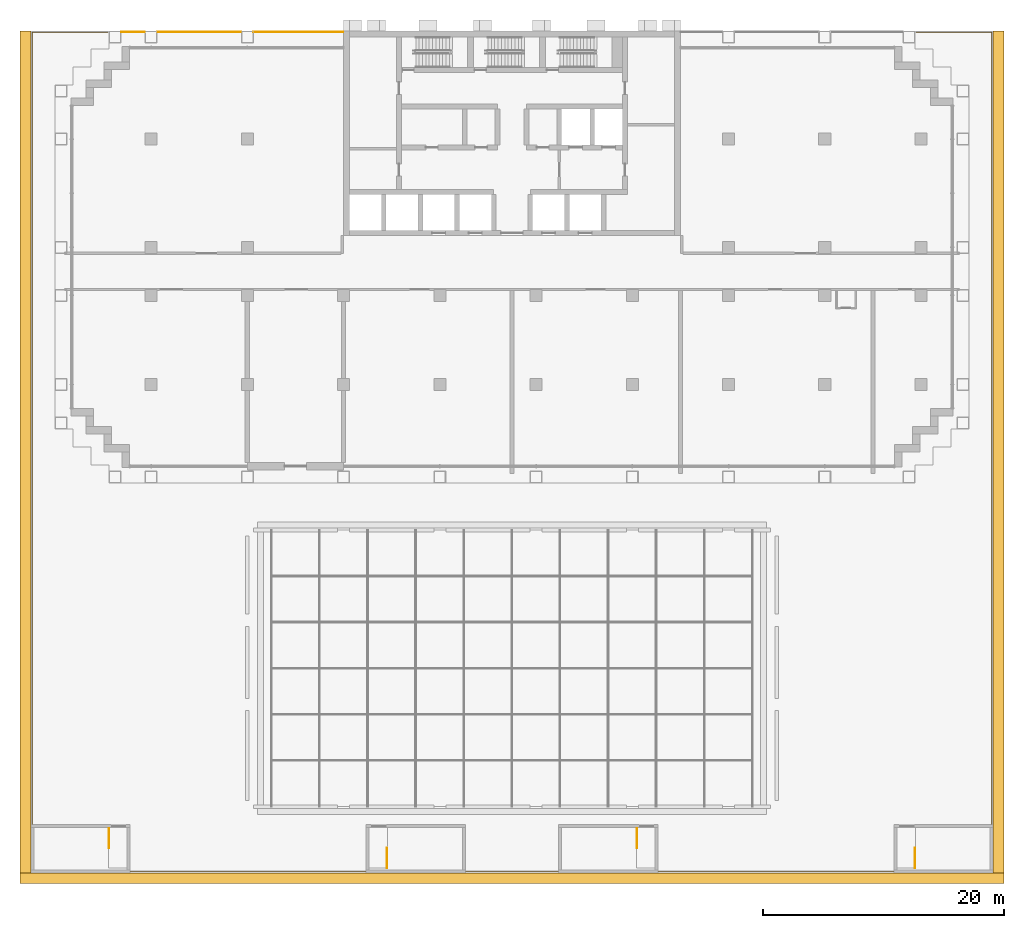
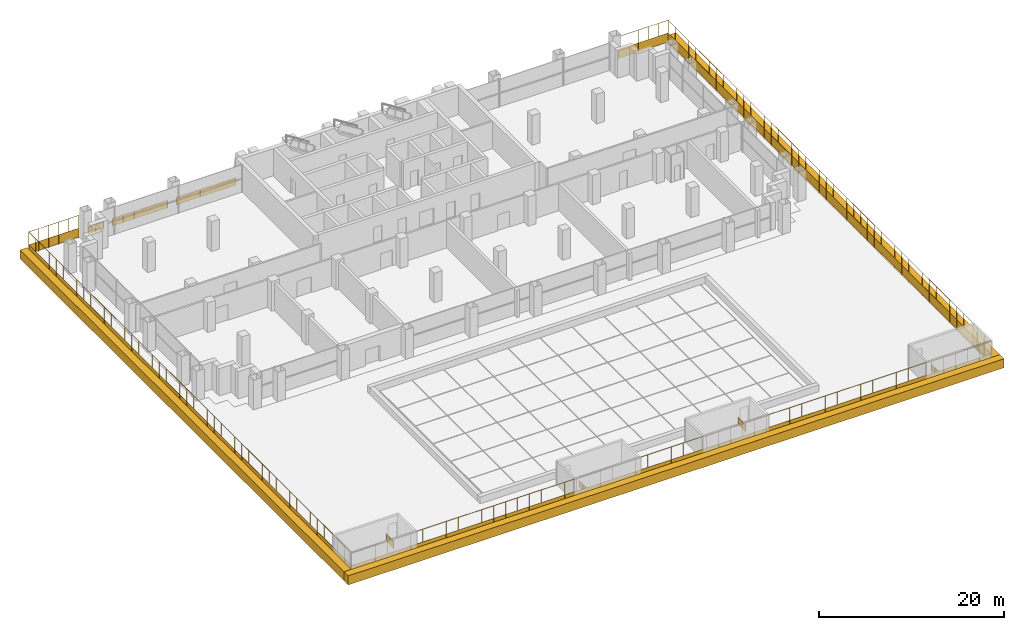
# One storey, part 14 of 16: 8 railings, 3 shading devices.
"""IFC4 building model written with IfcOpenShell, lengths in metres."""

from ifc_helpers import new_model, si_unit, direction, frame, frame_2d, origin, origin_2d, place, context, subcontext, project, spatial, rectangle, circle, extrude, material, layer, layer_set, type_object, element, save


model = new_model("IFC4")

# Units and contexts
model_context = context("Model", 3, precision=1e-05, world=origin(), true_north=direction((0.0, 1.0)))
body_context = subcontext(model_context, "Body", "Model", "MODEL_VIEW")
ifc_project = project(units=[si_unit("LENGTHUNIT", "METRE"), si_unit("AREAUNIT", "SQUARE_METRE"), si_unit("VOLUMEUNIT", "CUBIC_METRE"), si_unit("PLANEANGLEUNIT", "RADIAN"), si_unit("MASSUNIT", "GRAM", prefix="KILO")], contexts=[model_context])

# Site, building, storey
site_placement = place(None, origin())
site = spatial("IfcSite", under=ifc_project, at=site_placement, CompositionType="ELEMENT")
building_placement = place(site_placement, origin())
building = spatial("IfcBuilding", under=site, at=building_placement, Name="Vidyagriha Tower", CompositionType="ELEMENT")
storey_placement = place(building_placement, frame((0.0, 0.0, 26.0)))
storey = spatial("IfcBuildingStorey", under=building, at=storey_placement, Name="L06", CompositionType="ELEMENT", Elevation=26.0)

# Shading devices
ifc_material_1 = material(Name="Precast concrete C40/50 with brick facing", Category="concrete")
ifc_layer = layer(ifc_material_1, 0.89990234375)
ifc_layer_set = layer_set([ifc_layer], Name="Precast concrete C40/50 with brick facing")
shading_device_type = type_object("IfcShadingDeviceType", Name="Brick-faced podium cornice band", PredefinedType="USERDEFINED", material=ifc_layer_set)
shading_device_placement = place(storey_placement, frame((-40.89990234375, -50.449951171875, -0.300048828125)))
element("IfcShadingDevice", 1, at=shading_device_placement, inside=storey, type_object=shading_device_type, Name="Podium cornice band S", ObjectType="CORNICE", PredefinedType="USERDEFINED", context=body_context, shape_type="SweptSolid", body=[
    extrude(rectangle(XDim=81.7998046875, YDim=0.89990234375, at=frame_2d((40.89990234375, 0.0))), origin(), (0.0, 0.0, 1.0), 1.199951171875),
])
for number, where, z_axis, x_axis, name in (
    (2, (-40.449951171875, -50.0, -0.300048828125), (0.0, 0.0, 1.0), (0.0, 1.0, 0.0), "Podium cornice band W"),
    (3, (40.449951171875, -50.0, -0.300048828125), (0.0, 0.0, 1.0), (0.0, 1.0, 0.0), "Podium cornice band E"),
):
    element("IfcShadingDevice", number, at=place(storey_placement, frame(where, z_axis=z_axis, x_axis=x_axis)), inside=storey, type_object=shading_device_type, Name=name, ObjectType="CORNICE", PredefinedType="USERDEFINED", context=body_context, shape_type="SweptSolid", body=[
        extrude(rectangle(XDim=70.0, YDim=0.89990234375, at=frame_2d((35.0, 0.0))), origin(), (0.0, 0.0, 1.0), 1.199951171875),
    ])

# Railings
ifc_material_2 = material(Name="Steel ASTM A500 Grade C black painted", Category="steel")
railing_type_1 = type_object("IfcRailingType", Name="Gallery guard 1100", PredefinedType="GUARDRAIL", material=ifc_material_2)
railing_1_placement = place(storey_placement, frame((-32.469970703125, 19.89990234375, 0.0)))
element("IfcRailing", 4, at=railing_1_placement, inside=storey, type_object=railing_type_1, Name="Gallery guard L06 1", PredefinedType="GUARDRAIL", context=body_context, shape_type="SweptSolid", body=[
    extrude(circle(Radius=0.02490234375, at=origin_2d()), frame((0.0, 0.0, 1.0751953125), z_axis=(1.0, 0.0, 0.0), x_axis=(0.0, 1.0, 0.0)), (0.0, 0.0, 1.0), 1.93994140625),
    extrude(circle(Radius=0.02001953125, at=origin_2d()), origin(), (0.0, 0.0, 1.0), 1.050048828125),
    extrude(circle(Radius=0.02001953125, at=origin_2d()), frame((0.969970703125, 0.0, 0.0)), (0.0, 0.0, 1.0), 1.050048828125),
    extrude(circle(Radius=0.02001953125, at=origin_2d()), frame((1.93994140625, 0.0, 0.0)), (0.0, 0.0, 1.0), 1.050048828125),
    extrude(rectangle(XDim=0.010009765625, YDim=0.900146484375, at=origin_2d()), frame((0.0, 0.0, 0.550048828125), z_axis=(1.0, 0.0, 0.0), x_axis=(0.0, 1.0, 0.0)), (0.0, 0.0, 1.0), 1.93994140625),
])
railing_2_placement = place(storey_placement, frame((-29.469970703125, 19.89990234375, 0.0)))
element("IfcRailing", 5, at=railing_2_placement, inside=storey, type_object=railing_type_1, Name="Gallery guard L06 2", PredefinedType="GUARDRAIL", context=body_context, shape_type="SweptSolid", body=[
    extrude(circle(Radius=0.02490234375, at=origin_2d()), frame((0.0, 0.0, 1.0751953125), z_axis=(1.0, 0.0, 0.0), x_axis=(0.0, 1.0, 0.0)), (0.0, 0.0, 1.0), 6.93994140625),
    extrude(circle(Radius=0.02001953125, at=origin_2d()), origin(), (0.0, 0.0, 1.0), 1.050048828125),
    extrude(circle(Radius=0.02001953125, at=origin_2d()), frame((1.387939453125, 0.0, 0.0)), (0.0, 0.0, 1.0), 1.050048828125),
    extrude(circle(Radius=0.02001953125, at=origin_2d()), frame((2.77587890625, 0.0, 0.0)), (0.0, 0.0, 1.0), 1.050048828125),
    extrude(circle(Radius=0.02001953125, at=origin_2d()), frame((4.1640625, 0.0, 0.0)), (0.0, 0.0, 1.0), 1.050048828125),
    extrude(circle(Radius=0.02001953125, at=origin_2d()), frame((5.552001953125, 0.0, 0.0)), (0.0, 0.0, 1.0), 1.050048828125),
    extrude(circle(Radius=0.02001953125, at=origin_2d()), frame((6.93994140625, 0.0, 0.0)), (0.0, 0.0, 1.0), 1.050048828125),
    extrude(rectangle(XDim=0.010009765625, YDim=0.900146484375, at=origin_2d()), frame((0.0, 0.0, 0.550048828125), z_axis=(1.0, 0.0, 0.0), x_axis=(0.0, 1.0, 0.0)), (0.0, 0.0, 1.0), 6.93994140625),
])
railing_3_placement = place(storey_placement, frame((-21.469970703125, 19.89990234375, 0.0)))
element("IfcRailing", 6, at=railing_3_placement, inside=storey, type_object=railing_type_1, Name="Gallery guard L06 3", PredefinedType="GUARDRAIL", context=body_context, shape_type="SweptSolid", body=[
    extrude(circle(Radius=0.02490234375, at=origin_2d()), frame((0.0, 0.0, 1.0751953125), z_axis=(1.0, 0.0, 0.0), x_axis=(0.0, 1.0, 0.0)), (0.0, 0.0, 1.0), 7.43994140625),
    extrude(circle(Radius=0.02001953125, at=origin_2d()), origin(), (0.0, 0.0, 1.0), 1.050048828125),
    extrude(circle(Radius=0.02001953125, at=origin_2d()), frame((1.488037109375, 0.0, 0.0)), (0.0, 0.0, 1.0), 1.050048828125),
    extrude(circle(Radius=0.02001953125, at=origin_2d()), frame((2.97607421875, 0.0, 0.0)), (0.0, 0.0, 1.0), 1.050048828125),
    extrude(circle(Radius=0.02001953125, at=origin_2d()), frame((4.4638671875, 0.0, 0.0)), (0.0, 0.0, 1.0), 1.050048828125),
    extrude(circle(Radius=0.02001953125, at=origin_2d()), frame((5.951904296875, 0.0, 0.0)), (0.0, 0.0, 1.0), 1.050048828125),
    extrude(circle(Radius=0.02001953125, at=origin_2d()), frame((7.43994140625, 0.0, 0.0)), (0.0, 0.0, 1.0), 1.050048828125),
    extrude(rectangle(XDim=0.010009765625, YDim=0.900146484375, at=origin_2d()), frame((0.0, 0.0, 0.550048828125), z_axis=(1.0, 0.0, 0.0), x_axis=(0.0, 1.0, 0.0)), (0.0, 0.0, 1.0), 7.43994140625),
])
ifc_material_3 = material(Name="Steel ASTM A500 Grade C black painted", Category="steel")
railing_type_2 = type_object("IfcRailingType", Name="Play deck ball-stop mesh fence 3000", PredefinedType="GUARDRAIL", material=ifc_material_3)
railing_4_placement = place(storey_placement, frame((33.6201171875, 19.8798828125, 0.0)))
element("IfcRailing", 7, at=railing_4_placement, inside=storey, type_object=railing_type_2, Name="Play deck fence TR-P1 1", PredefinedType="GUARDRAIL", context=body_context, shape_type="SweptSolid", body=[
    extrude(circle(Radius=0.02490234375, at=origin_2d()), frame((0.0, 0.0, 2.97509765625), z_axis=(1.0, 0.0, 0.0), x_axis=(0.0, 1.0, 0.0)), (0.0, 0.0, 1.0), 6.259765625),
    extrude(circle(Radius=0.02490234375, at=origin_2d()), frame((6.259765625, 0.0, 2.97509765625), z_axis=(0.0, -1.0, 0.0), x_axis=(1.0, 0.0, 0.0)), (0.0, 0.0, 1.0), 69.759765625),
    extrude(circle(Radius=0.02490234375, at=origin_2d()), frame((6.259765625, -69.759765625, 2.97509765625), z_axis=(-1.0, 0.0, 0.0), x_axis=(0.0, -1.0, 0.0)), (0.0, 0.0, 1.0), 79.759765625),
    extrude(circle(Radius=0.02490234375, at=origin_2d()), frame((-73.5, -69.759765625, 2.97509765625), z_axis=(0.0, 1.0, 0.0), x_axis=(-1.0, 0.0, 0.0)), (0.0, 0.0, 1.0), 69.759765625),
    extrude(circle(Radius=0.02490234375, at=origin_2d()), frame((-73.5, 0.0, 2.97509765625), z_axis=(1.0, 0.0, 0.0), x_axis=(0.0, 1.0, 0.0)), (0.0, 0.0, 1.0), 6.259765625),
    extrude(circle(Radius=0.02001953125, at=origin_2d()), origin(), (0.0, 0.0, 1.0), 2.949951171875),
    extrude(circle(Radius=0.02001953125, at=origin_2d()), frame((1.251953125, 0.0, 0.0)), (0.0, 0.0, 1.0), 2.949951171875),
    extrude(circle(Radius=0.02001953125, at=origin_2d()), frame((2.50390625, 0.0, 0.0)), (0.0, 0.0, 1.0), 2.949951171875),
    extrude(circle(Radius=0.02001953125, at=origin_2d()), frame((3.755859375, 0.0, 0.0)), (0.0, 0.0, 1.0), 2.949951171875),
    extrude(circle(Radius=0.02001953125, at=origin_2d()), frame((5.0078125, 0.0, 0.0)), (0.0, 0.0, 1.0), 2.949951171875),
    extrude(circle(Radius=0.02001953125, at=origin_2d()), frame((6.259765625, 0.0, 0.0)), (0.0, 0.0, 1.0), 2.949951171875),
    extrude(circle(Radius=0.02001953125, at=origin_2d()), frame((6.259765625, -1.484130859375, 0.0)), (0.0, 0.0, 1.0), 2.949951171875),
    extrude(circle(Radius=0.02001953125, at=origin_2d()), frame((6.259765625, -2.968505859375, 0.0)), (0.0, 0.0, 1.0), 2.949951171875),
    extrude(circle(Radius=0.02001953125, at=origin_2d()), frame((6.259765625, -4.45263671875, 0.0)), (0.0, 0.0, 1.0), 2.949951171875),
    extrude(circle(Radius=0.02001953125, at=origin_2d()), frame((6.259765625, -5.93701171875, 0.0)), (0.0, 0.0, 1.0), 2.949951171875),
    extrude(circle(Radius=0.02001953125, at=origin_2d()), frame((6.259765625, -7.421142578125, 0.0)), (0.0, 0.0, 1.0), 2.949951171875),
    extrude(circle(Radius=0.02001953125, at=origin_2d()), frame((6.259765625, -8.905517578125, 0.0)), (0.0, 0.0, 1.0), 2.949951171875),
    extrude(circle(Radius=0.02001953125, at=origin_2d()), frame((6.259765625, -10.3896484375, 0.0)), (0.0, 0.0, 1.0), 2.949951171875),
    extrude(circle(Radius=0.02001953125, at=origin_2d()), frame((6.259765625, -11.8740234375, 0.0)), (0.0, 0.0, 1.0), 2.949951171875),
    extrude(circle(Radius=0.02001953125, at=origin_2d()), frame((6.259765625, -13.358154296875, 0.0)), (0.0, 0.0, 1.0), 2.949951171875),
    extrude(circle(Radius=0.02001953125, at=origin_2d()), frame((6.259765625, -14.842529296875, 0.0)), (0.0, 0.0, 1.0), 2.949951171875),
    extrude(circle(Radius=0.02001953125, at=origin_2d()), frame((6.259765625, -16.32666015625, 0.0)), (0.0, 0.0, 1.0), 2.949951171875),
    extrude(circle(Radius=0.02001953125, at=origin_2d()), frame((6.259765625, -17.81103515625, 0.0)), (0.0, 0.0, 1.0), 2.949951171875),
    extrude(circle(Radius=0.02001953125, at=origin_2d()), frame((6.259765625, -19.295166015625, 0.0)), (0.0, 0.0, 1.0), 2.949951171875),
    extrude(circle(Radius=0.02001953125, at=origin_2d()), frame((6.259765625, -20.779541015625, 0.0)), (0.0, 0.0, 1.0), 2.949951171875),
    extrude(circle(Radius=0.02001953125, at=origin_2d()), frame((6.259765625, -22.263671875, 0.0)), (0.0, 0.0, 1.0), 2.949951171875),
    extrude(circle(Radius=0.02001953125, at=origin_2d()), frame((6.259765625, -23.748046875, 0.0)), (0.0, 0.0, 1.0), 2.949951171875),
    extrude(circle(Radius=0.02001953125, at=origin_2d()), frame((6.259765625, -25.232177734375, 0.0)), (0.0, 0.0, 1.0), 2.949951171875),
    extrude(circle(Radius=0.02001953125, at=origin_2d()), frame((6.259765625, -26.716552734375, 0.0)), (0.0, 0.0, 1.0), 2.949951171875),
    extrude(circle(Radius=0.02001953125, at=origin_2d()), frame((6.259765625, -28.20068359375, 0.0)), (0.0, 0.0, 1.0), 2.949951171875),
    extrude(circle(Radius=0.02001953125, at=origin_2d()), frame((6.259765625, -29.68505859375, 0.0)), (0.0, 0.0, 1.0), 2.949951171875),
    extrude(circle(Radius=0.02001953125, at=origin_2d()), frame((6.259765625, -31.169189453125, 0.0)), (0.0, 0.0, 1.0), 2.949951171875),
    extrude(circle(Radius=0.02001953125, at=origin_2d()), frame((6.259765625, -32.653564453125, 0.0)), (0.0, 0.0, 1.0), 2.949951171875),
    extrude(circle(Radius=0.02001953125, at=origin_2d()), frame((6.259765625, -34.1376953125, 0.0)), (0.0, 0.0, 1.0), 2.949951171875),
    extrude(circle(Radius=0.02001953125, at=origin_2d()), frame((6.259765625, -35.6220703125, 0.0)), (0.0, 0.0, 1.0), 2.949951171875),
    extrude(circle(Radius=0.02001953125, at=origin_2d()), frame((6.259765625, -37.106201171875, 0.0)), (0.0, 0.0, 1.0), 2.949951171875),
    extrude(circle(Radius=0.02001953125, at=origin_2d()), frame((6.259765625, -38.590576171875, 0.0)), (0.0, 0.0, 1.0), 2.949951171875),
    extrude(circle(Radius=0.02001953125, at=origin_2d()), frame((6.259765625, -40.07470703125, 0.0)), (0.0, 0.0, 1.0), 2.949951171875),
    extrude(circle(Radius=0.02001953125, at=origin_2d()), frame((6.259765625, -41.55908203125, 0.0)), (0.0, 0.0, 1.0), 2.949951171875),
    extrude(circle(Radius=0.02001953125, at=origin_2d()), frame((6.259765625, -43.043212890625, 0.0)), (0.0, 0.0, 1.0), 2.949951171875),
    extrude(circle(Radius=0.02001953125, at=origin_2d()), frame((6.259765625, -44.527587890625, 0.0)), (0.0, 0.0, 1.0), 2.949951171875),
    extrude(circle(Radius=0.02001953125, at=origin_2d()), frame((6.259765625, -46.01171875, 0.0)), (0.0, 0.0, 1.0), 2.949951171875),
    extrude(circle(Radius=0.02001953125, at=origin_2d()), frame((6.259765625, -47.49609375, 0.0)), (0.0, 0.0, 1.0), 2.949951171875),
    extrude(circle(Radius=0.02001953125, at=origin_2d()), frame((6.259765625, -48.980224609375, 0.0)), (0.0, 0.0, 1.0), 2.949951171875),
    extrude(circle(Radius=0.02001953125, at=origin_2d()), frame((6.259765625, -50.464599609375, 0.0)), (0.0, 0.0, 1.0), 2.949951171875),
    extrude(circle(Radius=0.02001953125, at=origin_2d()), frame((6.259765625, -51.94873046875, 0.0)), (0.0, 0.0, 1.0), 2.949951171875),
    extrude(circle(Radius=0.02001953125, at=origin_2d()), frame((6.259765625, -53.43310546875, 0.0)), (0.0, 0.0, 1.0), 2.949951171875),
    extrude(circle(Radius=0.02001953125, at=origin_2d()), frame((6.259765625, -54.917236328125, 0.0)), (0.0, 0.0, 1.0), 2.949951171875),
    extrude(circle(Radius=0.02001953125, at=origin_2d()), frame((6.259765625, -56.401611328125, 0.0)), (0.0, 0.0, 1.0), 2.949951171875),
    extrude(circle(Radius=0.02001953125, at=origin_2d()), frame((6.259765625, -57.8857421875, 0.0)), (0.0, 0.0, 1.0), 2.949951171875),
    extrude(circle(Radius=0.02001953125, at=origin_2d()), frame((6.259765625, -59.3701171875, 0.0)), (0.0, 0.0, 1.0), 2.949951171875),
    extrude(circle(Radius=0.02001953125, at=origin_2d()), frame((6.259765625, -60.854248046875, 0.0)), (0.0, 0.0, 1.0), 2.949951171875),
    extrude(circle(Radius=0.02001953125, at=origin_2d()), frame((6.259765625, -62.338623046875, 0.0)), (0.0, 0.0, 1.0), 2.949951171875),
    extrude(circle(Radius=0.02001953125, at=origin_2d()), frame((6.259765625, -63.82275390625, 0.0)), (0.0, 0.0, 1.0), 2.949951171875),
    extrude(circle(Radius=0.02001953125, at=origin_2d()), frame((6.259765625, -65.30712890625, 0.0)), (0.0, 0.0, 1.0), 2.949951171875),
    extrude(circle(Radius=0.02001953125, at=origin_2d()), frame((6.259765625, -66.791259765625, 0.0)), (0.0, 0.0, 1.0), 2.949951171875),
    extrude(circle(Radius=0.02001953125, at=origin_2d()), frame((6.259765625, -68.275634765625, 0.0)), (0.0, 0.0, 1.0), 2.949951171875),
    extrude(circle(Radius=0.02001953125, at=origin_2d()), frame((6.259765625, -69.759765625, 0.0)), (0.0, 0.0, 1.0), 2.949951171875),
    extrude(circle(Radius=0.02001953125, at=origin_2d()), frame((4.78271484375, -69.759765625, 0.0)), (0.0, 0.0, 1.0), 2.949951171875),
    extrude(circle(Radius=0.02001953125, at=origin_2d()), frame((3.3056640625, -69.759765625, 0.0)), (0.0, 0.0, 1.0), 2.949951171875),
    extrude(circle(Radius=0.02001953125, at=origin_2d()), frame((1.82861328125, -69.759765625, 0.0)), (0.0, 0.0, 1.0), 2.949951171875),
    extrude(circle(Radius=0.02001953125, at=origin_2d()), frame((0.3515625, -69.759765625, 0.0)), (0.0, 0.0, 1.0), 2.949951171875),
    extrude(circle(Radius=0.02001953125, at=origin_2d()), frame((-1.12548828125, -69.759765625, 0.0)), (0.0, 0.0, 1.0), 2.949951171875),
    extrude(circle(Radius=0.02001953125, at=origin_2d()), frame((-2.6025390625, -69.759765625, 0.0)), (0.0, 0.0, 1.0), 2.949951171875),
    extrude(circle(Radius=0.02001953125, at=origin_2d()), frame((-4.079345703125, -69.759765625, 0.0)), (0.0, 0.0, 1.0), 2.949951171875),
    extrude(circle(Radius=0.02001953125, at=origin_2d()), frame((-5.556396484375, -69.759765625, 0.0)), (0.0, 0.0, 1.0), 2.949951171875),
    extrude(circle(Radius=0.02001953125, at=origin_2d()), frame((-7.033447265625, -69.759765625, 0.0)), (0.0, 0.0, 1.0), 2.949951171875),
    extrude(circle(Radius=0.02001953125, at=origin_2d()), frame((-8.510498046875, -69.759765625, 0.0)), (0.0, 0.0, 1.0), 2.949951171875),
    extrude(circle(Radius=0.02001953125, at=origin_2d()), frame((-9.987548828125, -69.759765625, 0.0)), (0.0, 0.0, 1.0), 2.949951171875),
    extrude(circle(Radius=0.02001953125, at=origin_2d()), frame((-11.464599609375, -69.759765625, 0.0)), (0.0, 0.0, 1.0), 2.949951171875),
    extrude(circle(Radius=0.02001953125, at=origin_2d()), frame((-12.941650390625, -69.759765625, 0.0)), (0.0, 0.0, 1.0), 2.949951171875),
    extrude(circle(Radius=0.02001953125, at=origin_2d()), frame((-14.418701171875, -69.759765625, 0.0)), (0.0, 0.0, 1.0), 2.949951171875),
    extrude(circle(Radius=0.02001953125, at=origin_2d()), frame((-15.895751953125, -69.759765625, 0.0)), (0.0, 0.0, 1.0), 2.949951171875),
    extrude(circle(Radius=0.02001953125, at=origin_2d()), frame((-17.372802734375, -69.759765625, 0.0)), (0.0, 0.0, 1.0), 2.949951171875),
    extrude(circle(Radius=0.02001953125, at=origin_2d()), frame((-18.849853515625, -69.759765625, 0.0)), (0.0, 0.0, 1.0), 2.949951171875),
    extrude(circle(Radius=0.02001953125, at=origin_2d()), frame((-20.326904296875, -69.759765625, 0.0)), (0.0, 0.0, 1.0), 2.949951171875),
    extrude(circle(Radius=0.02001953125, at=origin_2d()), frame((-21.803955078125, -69.759765625, 0.0)), (0.0, 0.0, 1.0), 2.949951171875),
    extrude(circle(Radius=0.02001953125, at=origin_2d()), frame((-23.281005859375, -69.759765625, 0.0)), (0.0, 0.0, 1.0), 2.949951171875),
    extrude(circle(Radius=0.02001953125, at=origin_2d()), frame((-24.7578125, -69.759765625, 0.0)), (0.0, 0.0, 1.0), 2.949951171875),
    extrude(circle(Radius=0.02001953125, at=origin_2d()), frame((-26.23486328125, -69.759765625, 0.0)), (0.0, 0.0, 1.0), 2.949951171875),
    extrude(circle(Radius=0.02001953125, at=origin_2d()), frame((-27.7119140625, -69.759765625, 0.0)), (0.0, 0.0, 1.0), 2.949951171875),
    extrude(circle(Radius=0.02001953125, at=origin_2d()), frame((-29.18896484375, -69.759765625, 0.0)), (0.0, 0.0, 1.0), 2.949951171875),
    extrude(circle(Radius=0.02001953125, at=origin_2d()), frame((-30.666015625, -69.759765625, 0.0)), (0.0, 0.0, 1.0), 2.949951171875),
    extrude(circle(Radius=0.02001953125, at=origin_2d()), frame((-32.14306640625, -69.759765625, 0.0)), (0.0, 0.0, 1.0), 2.949951171875),
    extrude(circle(Radius=0.02001953125, at=origin_2d()), frame((-33.6201171875, -69.759765625, 0.0)), (0.0, 0.0, 1.0), 2.949951171875),
    extrude(circle(Radius=0.02001953125, at=origin_2d()), frame((-35.09716796875, -69.759765625, 0.0)), (0.0, 0.0, 1.0), 2.949951171875),
    extrude(circle(Radius=0.02001953125, at=origin_2d()), frame((-36.57421875, -69.759765625, 0.0)), (0.0, 0.0, 1.0), 2.949951171875),
    extrude(circle(Radius=0.02001953125, at=origin_2d()), frame((-38.05126953125, -69.759765625, 0.0)), (0.0, 0.0, 1.0), 2.949951171875),
    extrude(circle(Radius=0.02001953125, at=origin_2d()), frame((-39.5283203125, -69.759765625, 0.0)), (0.0, 0.0, 1.0), 2.949951171875),
    extrude(circle(Radius=0.02001953125, at=origin_2d()), frame((-41.00537109375, -69.759765625, 0.0)), (0.0, 0.0, 1.0), 2.949951171875),
    extrude(circle(Radius=0.02001953125, at=origin_2d()), frame((-42.482421875, -69.759765625, 0.0)), (0.0, 0.0, 1.0), 2.949951171875),
    extrude(circle(Radius=0.02001953125, at=origin_2d()), frame((-43.959228515625, -69.759765625, 0.0)), (0.0, 0.0, 1.0), 2.949951171875),
    extrude(circle(Radius=0.02001953125, at=origin_2d()), frame((-45.436279296875, -69.759765625, 0.0)), (0.0, 0.0, 1.0), 2.949951171875),
    extrude(circle(Radius=0.02001953125, at=origin_2d()), frame((-46.913330078125, -69.759765625, 0.0)), (0.0, 0.0, 1.0), 2.949951171875),
    extrude(circle(Radius=0.02001953125, at=origin_2d()), frame((-48.390380859375, -69.759765625, 0.0)), (0.0, 0.0, 1.0), 2.949951171875),
    extrude(circle(Radius=0.02001953125, at=origin_2d()), frame((-49.867431640625, -69.759765625, 0.0)), (0.0, 0.0, 1.0), 2.949951171875),
    extrude(circle(Radius=0.02001953125, at=origin_2d()), frame((-51.344482421875, -69.759765625, 0.0)), (0.0, 0.0, 1.0), 2.949951171875),
    extrude(circle(Radius=0.02001953125, at=origin_2d()), frame((-52.821533203125, -69.759765625, 0.0)), (0.0, 0.0, 1.0), 2.949951171875),
    extrude(circle(Radius=0.02001953125, at=origin_2d()), frame((-54.298583984375, -69.759765625, 0.0)), (0.0, 0.0, 1.0), 2.949951171875),
    extrude(circle(Radius=0.02001953125, at=origin_2d()), frame((-55.775634765625, -69.759765625, 0.0)), (0.0, 0.0, 1.0), 2.949951171875),
    extrude(circle(Radius=0.02001953125, at=origin_2d()), frame((-57.252685546875, -69.759765625, 0.0)), (0.0, 0.0, 1.0), 2.949951171875),
    extrude(circle(Radius=0.02001953125, at=origin_2d()), frame((-58.729736328125, -69.759765625, 0.0)), (0.0, 0.0, 1.0), 2.949951171875),
    extrude(circle(Radius=0.02001953125, at=origin_2d()), frame((-60.206787109375, -69.759765625, 0.0)), (0.0, 0.0, 1.0), 2.949951171875),
    extrude(circle(Radius=0.02001953125, at=origin_2d()), frame((-61.683837890625, -69.759765625, 0.0)), (0.0, 0.0, 1.0), 2.949951171875),
    extrude(circle(Radius=0.02001953125, at=origin_2d()), frame((-63.160888671875, -69.759765625, 0.0)), (0.0, 0.0, 1.0), 2.949951171875),
    extrude(circle(Radius=0.02001953125, at=origin_2d()), frame((-64.6376953125, -69.759765625, 0.0)), (0.0, 0.0, 1.0), 2.949951171875),
    extrude(circle(Radius=0.02001953125, at=origin_2d()), frame((-66.11474609375, -69.759765625, 0.0)), (0.0, 0.0, 1.0), 2.949951171875),
    extrude(circle(Radius=0.02001953125, at=origin_2d()), frame((-67.591796875, -69.759765625, 0.0)), (0.0, 0.0, 1.0), 2.949951171875),
    extrude(circle(Radius=0.02001953125, at=origin_2d()), frame((-69.06884765625, -69.759765625, 0.0)), (0.0, 0.0, 1.0), 2.949951171875),
    extrude(circle(Radius=0.02001953125, at=origin_2d()), frame((-70.5458984375, -69.759765625, 0.0)), (0.0, 0.0, 1.0), 2.949951171875),
    extrude(circle(Radius=0.02001953125, at=origin_2d()), frame((-72.02294921875, -69.759765625, 0.0)), (0.0, 0.0, 1.0), 2.949951171875),
    extrude(circle(Radius=0.02001953125, at=origin_2d()), frame((-73.5, -69.759765625, 0.0)), (0.0, 0.0, 1.0), 2.949951171875),
    extrude(circle(Radius=0.02001953125, at=origin_2d()), frame((-73.5, -68.275634765625, 0.0)), (0.0, 0.0, 1.0), 2.949951171875),
    extrude(circle(Radius=0.02001953125, at=origin_2d()), frame((-73.5, -66.791259765625, 0.0)), (0.0, 0.0, 1.0), 2.949951171875),
    extrude(circle(Radius=0.02001953125, at=origin_2d()), frame((-73.5, -65.30712890625, 0.0)), (0.0, 0.0, 1.0), 2.949951171875),
    extrude(circle(Radius=0.02001953125, at=origin_2d()), frame((-73.5, -63.82275390625, 0.0)), (0.0, 0.0, 1.0), 2.949951171875),
    extrude(circle(Radius=0.02001953125, at=origin_2d()), frame((-73.5, -62.338623046875, 0.0)), (0.0, 0.0, 1.0), 2.949951171875),
    extrude(circle(Radius=0.02001953125, at=origin_2d()), frame((-73.5, -60.854248046875, 0.0)), (0.0, 0.0, 1.0), 2.949951171875),
    extrude(circle(Radius=0.02001953125, at=origin_2d()), frame((-73.5, -59.3701171875, 0.0)), (0.0, 0.0, 1.0), 2.949951171875),
    extrude(circle(Radius=0.02001953125, at=origin_2d()), frame((-73.5, -57.8857421875, 0.0)), (0.0, 0.0, 1.0), 2.949951171875),
    extrude(circle(Radius=0.02001953125, at=origin_2d()), frame((-73.5, -56.401611328125, 0.0)), (0.0, 0.0, 1.0), 2.949951171875),
    extrude(circle(Radius=0.02001953125, at=origin_2d()), frame((-73.5, -54.917236328125, 0.0)), (0.0, 0.0, 1.0), 2.949951171875),
    extrude(circle(Radius=0.02001953125, at=origin_2d()), frame((-73.5, -53.43310546875, 0.0)), (0.0, 0.0, 1.0), 2.949951171875),
    extrude(circle(Radius=0.02001953125, at=origin_2d()), frame((-73.5, -51.94873046875, 0.0)), (0.0, 0.0, 1.0), 2.949951171875),
    extrude(circle(Radius=0.02001953125, at=origin_2d()), frame((-73.5, -50.464599609375, 0.0)), (0.0, 0.0, 1.0), 2.949951171875),
    extrude(circle(Radius=0.02001953125, at=origin_2d()), frame((-73.5, -48.980224609375, 0.0)), (0.0, 0.0, 1.0), 2.949951171875),
    extrude(circle(Radius=0.02001953125, at=origin_2d()), frame((-73.5, -47.49609375, 0.0)), (0.0, 0.0, 1.0), 2.949951171875),
    extrude(circle(Radius=0.02001953125, at=origin_2d()), frame((-73.5, -46.01171875, 0.0)), (0.0, 0.0, 1.0), 2.949951171875),
    extrude(circle(Radius=0.02001953125, at=origin_2d()), frame((-73.5, -44.527587890625, 0.0)), (0.0, 0.0, 1.0), 2.949951171875),
    extrude(circle(Radius=0.02001953125, at=origin_2d()), frame((-73.5, -43.043212890625, 0.0)), (0.0, 0.0, 1.0), 2.949951171875),
    extrude(circle(Radius=0.02001953125, at=origin_2d()), frame((-73.5, -41.55908203125, 0.0)), (0.0, 0.0, 1.0), 2.949951171875),
    extrude(circle(Radius=0.02001953125, at=origin_2d()), frame((-73.5, -40.07470703125, 0.0)), (0.0, 0.0, 1.0), 2.949951171875),
    extrude(circle(Radius=0.02001953125, at=origin_2d()), frame((-73.5, -38.590576171875, 0.0)), (0.0, 0.0, 1.0), 2.949951171875),
    extrude(circle(Radius=0.02001953125, at=origin_2d()), frame((-73.5, -37.106201171875, 0.0)), (0.0, 0.0, 1.0), 2.949951171875),
    extrude(circle(Radius=0.02001953125, at=origin_2d()), frame((-73.5, -35.6220703125, 0.0)), (0.0, 0.0, 1.0), 2.949951171875),
    extrude(circle(Radius=0.02001953125, at=origin_2d()), frame((-73.5, -34.1376953125, 0.0)), (0.0, 0.0, 1.0), 2.949951171875),
    extrude(circle(Radius=0.02001953125, at=origin_2d()), frame((-73.5, -32.653564453125, 0.0)), (0.0, 0.0, 1.0), 2.949951171875),
    extrude(circle(Radius=0.02001953125, at=origin_2d()), frame((-73.5, -31.169189453125, 0.0)), (0.0, 0.0, 1.0), 2.949951171875),
    extrude(circle(Radius=0.02001953125, at=origin_2d()), frame((-73.5, -29.68505859375, 0.0)), (0.0, 0.0, 1.0), 2.949951171875),
    extrude(circle(Radius=0.02001953125, at=origin_2d()), frame((-73.5, -28.20068359375, 0.0)), (0.0, 0.0, 1.0), 2.949951171875),
    extrude(circle(Radius=0.02001953125, at=origin_2d()), frame((-73.5, -26.716552734375, 0.0)), (0.0, 0.0, 1.0), 2.949951171875),
    extrude(circle(Radius=0.02001953125, at=origin_2d()), frame((-73.5, -25.232177734375, 0.0)), (0.0, 0.0, 1.0), 2.949951171875),
    extrude(circle(Radius=0.02001953125, at=origin_2d()), frame((-73.5, -23.748046875, 0.0)), (0.0, 0.0, 1.0), 2.949951171875),
    extrude(circle(Radius=0.02001953125, at=origin_2d()), frame((-73.5, -22.263671875, 0.0)), (0.0, 0.0, 1.0), 2.949951171875),
    extrude(circle(Radius=0.02001953125, at=origin_2d()), frame((-73.5, -20.779541015625, 0.0)), (0.0, 0.0, 1.0), 2.949951171875),
    extrude(circle(Radius=0.02001953125, at=origin_2d()), frame((-73.5, -19.295166015625, 0.0)), (0.0, 0.0, 1.0), 2.949951171875),
    extrude(circle(Radius=0.02001953125, at=origin_2d()), frame((-73.5, -17.81103515625, 0.0)), (0.0, 0.0, 1.0), 2.949951171875),
    extrude(circle(Radius=0.02001953125, at=origin_2d()), frame((-73.5, -16.32666015625, 0.0)), (0.0, 0.0, 1.0), 2.949951171875),
    extrude(circle(Radius=0.02001953125, at=origin_2d()), frame((-73.5, -14.842529296875, 0.0)), (0.0, 0.0, 1.0), 2.949951171875),
    extrude(circle(Radius=0.02001953125, at=origin_2d()), frame((-73.5, -13.358154296875, 0.0)), (0.0, 0.0, 1.0), 2.949951171875),
    extrude(circle(Radius=0.02001953125, at=origin_2d()), frame((-73.5, -11.8740234375, 0.0)), (0.0, 0.0, 1.0), 2.949951171875),
    extrude(circle(Radius=0.02001953125, at=origin_2d()), frame((-73.5, -10.3896484375, 0.0)), (0.0, 0.0, 1.0), 2.949951171875),
    extrude(circle(Radius=0.02001953125, at=origin_2d()), frame((-73.5, -8.905517578125, 0.0)), (0.0, 0.0, 1.0), 2.949951171875),
    extrude(circle(Radius=0.02001953125, at=origin_2d()), frame((-73.5, -7.421142578125, 0.0)), (0.0, 0.0, 1.0), 2.949951171875),
    extrude(circle(Radius=0.02001953125, at=origin_2d()), frame((-73.5, -5.93701171875, 0.0)), (0.0, 0.0, 1.0), 2.949951171875),
    extrude(circle(Radius=0.02001953125, at=origin_2d()), frame((-73.5, -4.45263671875, 0.0)), (0.0, 0.0, 1.0), 2.949951171875),
    extrude(circle(Radius=0.02001953125, at=origin_2d()), frame((-73.5, -2.968505859375, 0.0)), (0.0, 0.0, 1.0), 2.949951171875),
    extrude(circle(Radius=0.02001953125, at=origin_2d()), frame((-73.5, -1.484130859375, 0.0)), (0.0, 0.0, 1.0), 2.949951171875),
    extrude(circle(Radius=0.02001953125, at=origin_2d()), frame((-73.5, 0.0, 0.0)), (0.0, 0.0, 1.0), 2.949951171875),
    extrude(circle(Radius=0.02001953125, at=origin_2d()), frame((-72.248046875, 0.0, 0.0)), (0.0, 0.0, 1.0), 2.949951171875),
    extrude(circle(Radius=0.02001953125, at=origin_2d()), frame((-70.99609375, 0.0, 0.0)), (0.0, 0.0, 1.0), 2.949951171875),
    extrude(circle(Radius=0.02001953125, at=origin_2d()), frame((-69.744140625, 0.0, 0.0)), (0.0, 0.0, 1.0), 2.949951171875),
    extrude(circle(Radius=0.02001953125, at=origin_2d()), frame((-68.4921875, 0.0, 0.0)), (0.0, 0.0, 1.0), 2.949951171875),
    extrude(circle(Radius=0.02001953125, at=origin_2d()), frame((-67.240234375, 0.0, 0.0)), (0.0, 0.0, 1.0), 2.949951171875),
    extrude(rectangle(XDim=0.010009765625, YDim=1.199951171875, at=origin_2d()), frame((0.0, 0.0, 0.699951171875), z_axis=(1.0, 0.0, 0.0), x_axis=(0.0, 1.0, 0.0)), (0.0, 0.0, 1.0), 6.259765625),
    extrude(rectangle(XDim=0.010009765625, YDim=1.199951171875, at=origin_2d()), frame((6.259765625, 0.0, 0.699951171875), z_axis=(0.0, -1.0, 0.0), x_axis=(1.0, 0.0, 0.0)), (0.0, 0.0, 1.0), 69.759765625),
    extrude(rectangle(XDim=0.010009765625, YDim=1.199951171875, at=origin_2d()), frame((6.259765625, -69.759765625, 0.699951171875), z_axis=(-1.0, 0.0, 0.0), x_axis=(0.0, -1.0, 0.0)), (0.0, 0.0, 1.0), 79.759765625),
    extrude(rectangle(XDim=0.010009765625, YDim=1.199951171875, at=origin_2d()), frame((-73.5, -69.759765625, 0.699951171875), z_axis=(0.0, 1.0, 0.0), x_axis=(-1.0, 0.0, 0.0)), (0.0, 0.0, 1.0), 69.759765625),
    extrude(rectangle(XDim=0.010009765625, YDim=1.199951171875, at=origin_2d()), frame((-73.5, 0.0, 0.699951171875), z_axis=(1.0, 0.0, 0.0), x_axis=(0.0, 1.0, 0.0)), (0.0, 0.0, 1.0), 6.259765625),
])
ifc_material_4 = material(Name="Powder coated ASTM A500 Grade C steel balustrade", Category="steel")
railing_type_3 = type_object("IfcRailingType", Name="Podium Stair Guard 1100", PredefinedType="GUARDRAIL", material=ifc_material_4)
railing_5_placement = place(storey_placement, frame((-33.4951171875, -46.300048828125, 0.0)))
element("IfcRailing", 8, at=railing_5_placement, inside=storey, type_object=railing_type_3, Name="L06 PS1 top well guard 1", PredefinedType="GUARDRAIL", context=body_context, shape_type="SweptSolid", body=[
    extrude(circle(Radius=0.02392578125, at=origin_2d()), frame((0.0, 0.0, 1.076171875), z_axis=(0.0, -1.0, 0.0), x_axis=(1.0, 0.0, 0.0)), (0.0, 0.0, 1.0), 1.64990234375),
    extrude(circle(Radius=0.02099609375, at=origin_2d()), origin(), (0.0, 0.0, 1.0), 1.052001953125),
    extrude(circle(Radius=0.02099609375, at=origin_2d()), frame((0.0, -0.824951171875, 0.0)), (0.0, 0.0, 1.0), 1.052001953125),
    extrude(circle(Radius=0.02099609375, at=origin_2d()), frame((0.0, -1.64990234375, 0.0)), (0.0, 0.0, 1.0), 1.052001953125),
    extrude(rectangle(XDim=0.010009765625, YDim=0.902099609375, at=origin_2d()), frame((0.0, 0.0, 0.551025390625), z_axis=(0.0, -1.0, 0.0), x_axis=(1.0, 0.0, 0.0)), (0.0, 0.0, 1.0), 1.64990234375),
])
for number, where, name in (
    (9, (33.4951171875, -49.60009765625, 0.0), "L06 PS2 top well guard 1"),
    (10, (-10.405029296875, -49.60009765625, 0.0), "L06 PS3 top well guard 1"),
):
    element("IfcRailing", number, at=place(storey_placement, frame(where)), inside=storey, type_object=railing_type_3, Name=name, PredefinedType="GUARDRAIL", context=body_context, shape_type="SweptSolid", body=[
        extrude(circle(Radius=0.02392578125, at=origin_2d()), frame((0.0, 0.0, 1.076171875), z_axis=(0.0, 1.0, 0.0), x_axis=(-1.0, 0.0, 0.0)), (0.0, 0.0, 1.0), 1.650146484375),
        extrude(circle(Radius=0.02099609375, at=origin_2d()), origin(), (0.0, 0.0, 1.0), 1.052001953125),
        extrude(circle(Radius=0.02099609375, at=origin_2d()), frame((0.0, 0.8251953125, 0.0)), (0.0, 0.0, 1.0), 1.052001953125),
        extrude(circle(Radius=0.02099609375, at=origin_2d()), frame((0.0, 1.650146484375, 0.0)), (0.0, 0.0, 1.0), 1.052001953125),
        extrude(rectangle(XDim=0.010009765625, YDim=0.902099609375, at=origin_2d()), frame((0.0, 0.0, 0.551025390625), z_axis=(0.0, 1.0, 0.0), x_axis=(-1.0, 0.0, 0.0)), (0.0, 0.0, 1.0), 1.650146484375),
    ])
railing_6_placement = place(storey_placement, frame((10.405029296875, -46.300048828125, 0.0)))
element("IfcRailing", 11, at=railing_6_placement, inside=storey, type_object=railing_type_3, Name="L06 PS4 top well guard 1", PredefinedType="GUARDRAIL", context=body_context, shape_type="SweptSolid", body=[
    extrude(circle(Radius=0.02392578125, at=origin_2d()), frame((0.0, 0.0, 1.076171875), z_axis=(0.0, -1.0, 0.0), x_axis=(1.0, 0.0, 0.0)), (0.0, 0.0, 1.0), 1.64990234375),
    extrude(circle(Radius=0.02099609375, at=origin_2d()), origin(), (0.0, 0.0, 1.0), 1.052001953125),
    extrude(circle(Radius=0.02099609375, at=origin_2d()), frame((0.0, -0.824951171875, 0.0)), (0.0, 0.0, 1.0), 1.052001953125),
    extrude(circle(Radius=0.02099609375, at=origin_2d()), frame((0.0, -1.64990234375, 0.0)), (0.0, 0.0, 1.0), 1.052001953125),
    extrude(rectangle(XDim=0.010009765625, YDim=0.902099609375, at=origin_2d()), frame((0.0, 0.0, 0.551025390625), z_axis=(0.0, -1.0, 0.0), x_axis=(1.0, 0.0, 0.0)), (0.0, 0.0, 1.0), 1.64990234375),
])

save(model, "model.ifc")
